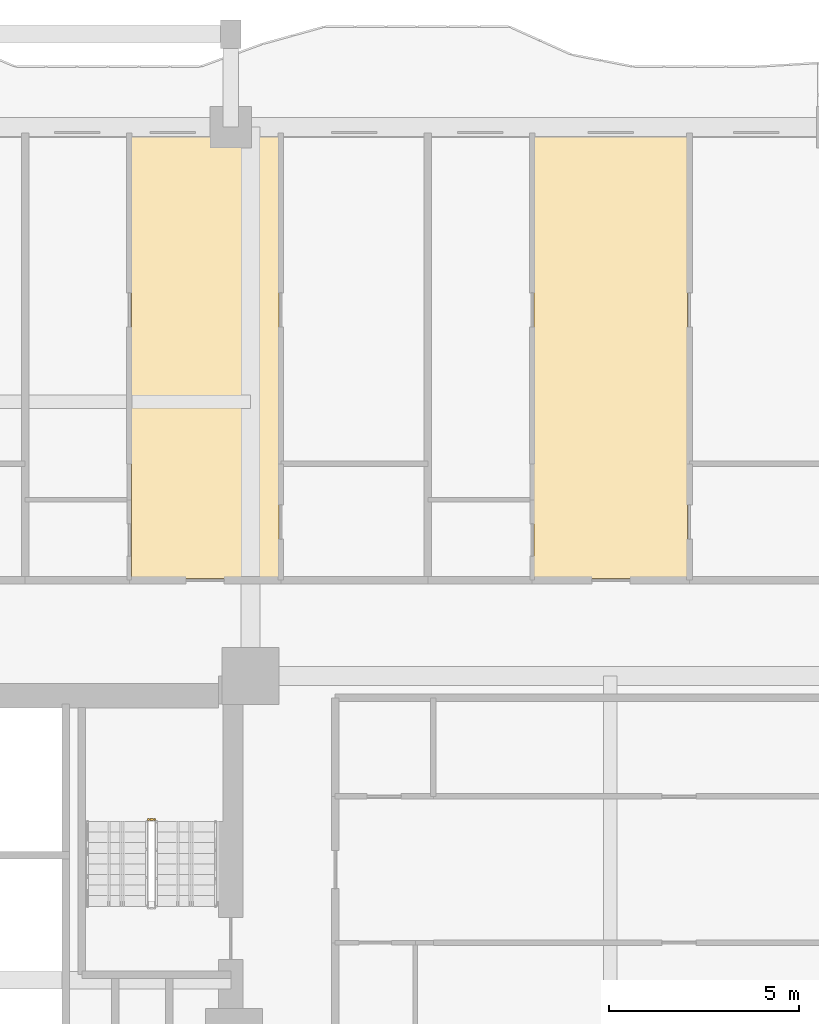
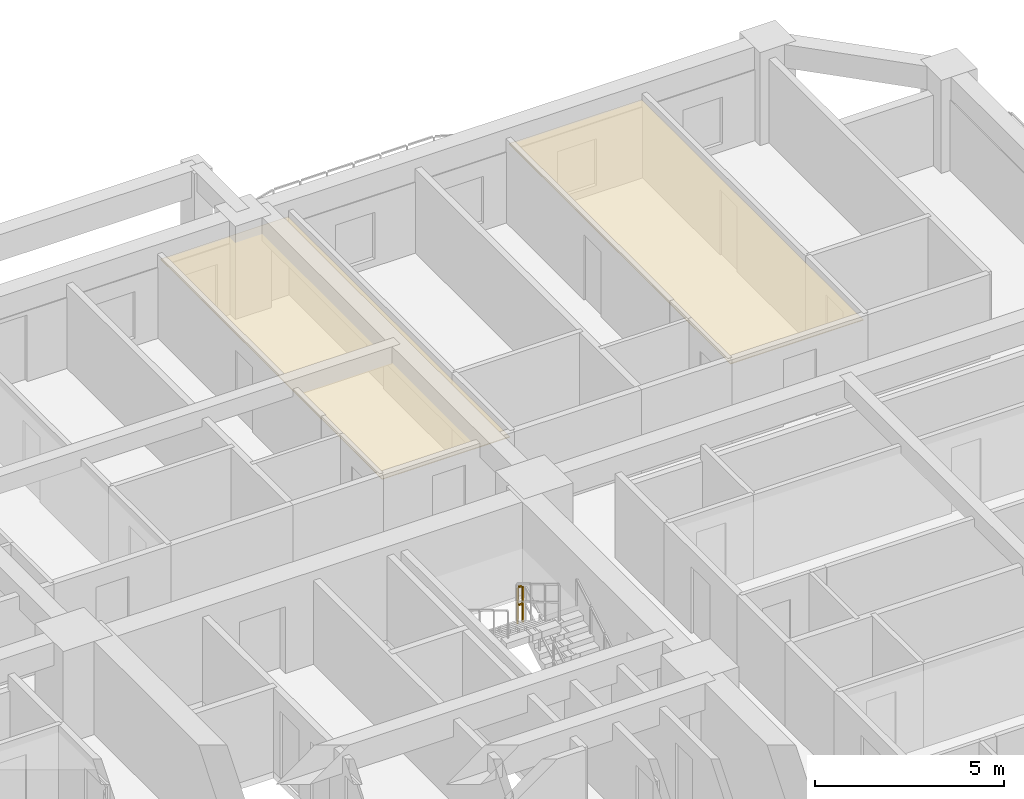
# One storey, part 15 of 15: 2 coverings, 1 railing.
"""IFC4 building model written with IfcOpenShell, lengths in metres."""

from ifc_helpers import new_model, si_unit, direction, frame, origin, origin_2d, place, context, subcontext, project, spatial, polyline, rectangle, outline, extrude, material, layer, layer_set, type_object, element, save


model = new_model("IFC4")

# Units and contexts
model_context = context("Model", 3, precision=1e-05, world=origin(), true_north=direction((0.0, 1.0)))
body_context = subcontext(model_context, "Body", "Model", "MODEL_VIEW")
ifc_project = project(units=[si_unit("LENGTHUNIT", "METRE"), si_unit("AREAUNIT", "SQUARE_METRE"), si_unit("VOLUMEUNIT", "CUBIC_METRE"), si_unit("PLANEANGLEUNIT", "RADIAN"), si_unit("MASSUNIT", "GRAM", prefix="KILO")], contexts=[model_context])

# Site, building, storey
site_placement = place(None, origin())
site = spatial("IfcSite", under=ifc_project, at=site_placement, CompositionType="ELEMENT")
building_placement = place(site_placement, origin())
building = spatial("IfcBuilding", under=site, at=building_placement, Name="Saelheon Loggia Tower", CompositionType="ELEMENT")
storey_placement = place(building_placement, frame((0.0, 0.0, 67.39990234375)))
storey = spatial("IfcBuildingStorey", under=building, at=storey_placement, Name="L21", CompositionType="ELEMENT", Elevation=67.39990234375)

# Coverings
ifc_material_1 = material(Name="Mineral-Fibre Acoustic Ceiling Board", Category="gypsum")
ifc_layer = layer(ifc_material_1, 0.02490234375)
ifc_layer_set = layer_set([ifc_layer], Name="Mineral-Fibre Acoustic Ceiling Board")
covering_type = type_object("IfcCoveringType", Name="Cov_Ceiling_Acoustic", PredefinedType="CEILING", material=ifc_layer_set)
covering_1_placement = place(storey_placement, frame((0.0, 0.0, 2.445068359375)))
element("IfcCovering", 1, at=covering_1_placement, inside=storey, type_object=covering_type, Name="L21 Acoustic Suspended Ceiling", PredefinedType="CEILING", context=body_context, shape_type="SweptSolid", body=[
    extrude(outline(polyline([(41.875, 39.10009765625), (45.77001953125, 39.10009765625), (45.77001953125, 50.800048828125), (41.875, 50.800048828125), (41.875, 39.10009765625)])), origin(), (0.0, 0.0, 1.0), 0.025146484375),
])
covering_2_placement = place(storey_placement, frame((0.0, 0.0, 2.445068359375)))
element("IfcCovering", 2, at=covering_2_placement, inside=storey, type_object=covering_type, Name="L21 Acoustic Suspended Ceiling", PredefinedType="CEILING", context=body_context, shape_type="SweptSolid", body=[
    extrude(outline(polyline([(52.49755859375, 39.10009765625), (56.547119140625, 39.10009765625), (56.547119140625, 50.800048828125), (52.49755859375, 50.800048828125), (52.49755859375, 39.10009765625)])), origin(), (0.0, 0.0, 1.0), 0.025146484375),
])

# Railing
ifc_material_2 = material(Name="Galvanised Steel S275 Stairwell Guardrail", Category="steel")
railing_type = type_object("IfcRailingType", Name="Guard_StairWell_RL_STG", PredefinedType="GUARDRAIL", material=ifc_material_2)
railing_placement = place(storey_placement, frame((42.489990234375, 32.739990234375, 1.5)))
element("IfcRailing", 3, at=railing_placement, inside=storey, type_object=railing_type, Name="L21 ST2 stair guard 2", PredefinedType="GUARDRAIL", context=body_context, shape_type="SweptSolid", body=[
    extrude(rectangle(XDim=0.048095703125, YDim=0.048095703125, at=origin_2d()), frame((-0.033203125, 0.0, 1.17578125), z_axis=(-1.0, 0.0, 0.0), x_axis=(0.0, -1.0, 0.0)), (0.0, 0.0, 1.0), 0.093505859375),
    extrude(rectangle(XDim=0.048095703125, YDim=0.048095703125, at=origin_2d()), frame((-0.033203125, 0.0, 0.60009765625), z_axis=(-1.0, 0.0, 0.0), x_axis=(0.0, -1.0, 0.0)), (0.0, 0.0, 1.0), 0.093505859375),
    extrude(rectangle(XDim=0.0419921875, YDim=0.0419921875, at=origin_2d()), origin(), (0.0, 0.0, 1.0), 1.14794921875),
    extrude(rectangle(XDim=0.0419921875, YDim=0.0419921875, at=origin_2d()), frame((-0.159912109375, 0.0, 0.0)), (0.0, 0.0, 1.0), 1.14794921875),
])

save(model, "model.ifc")
